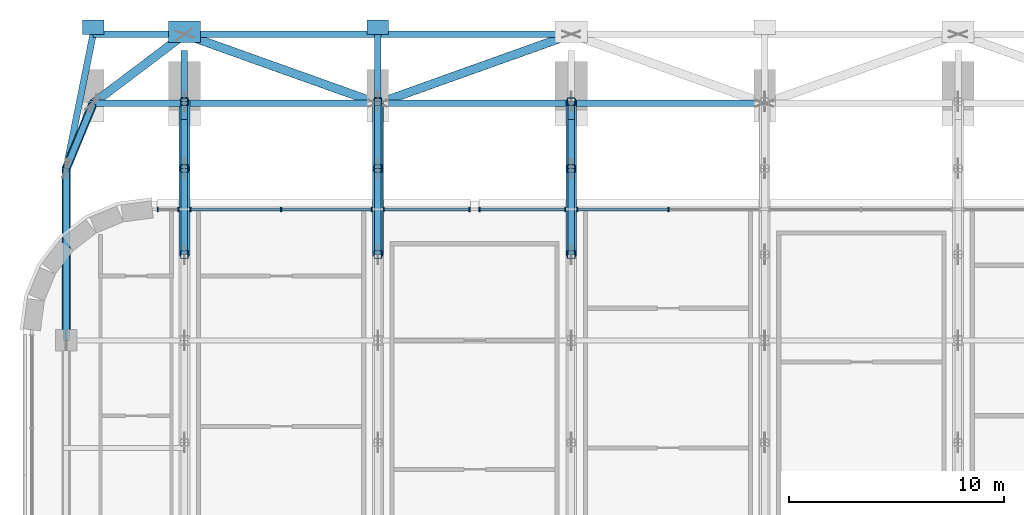
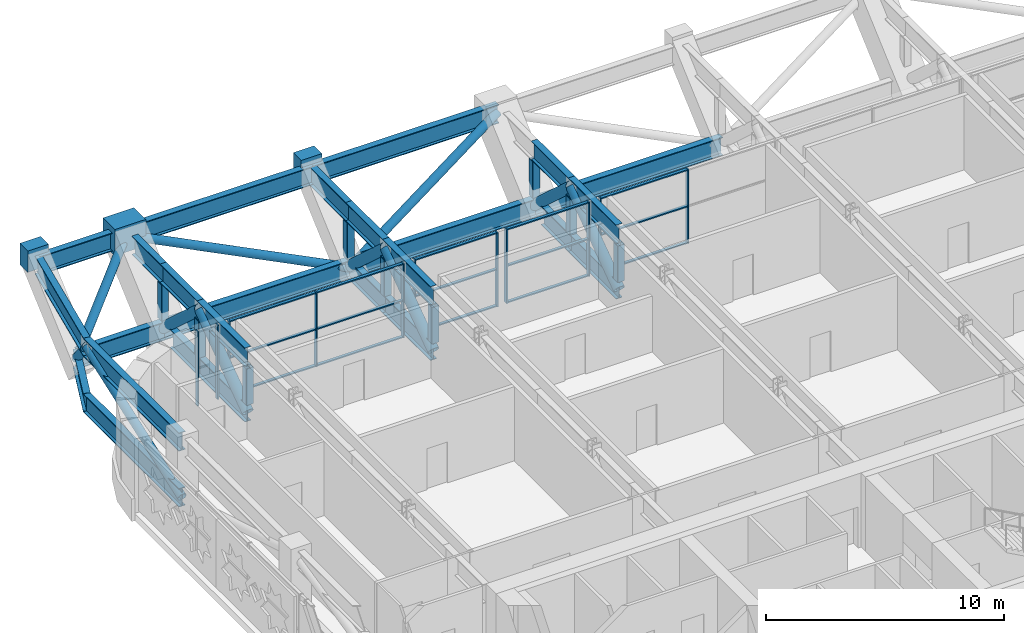
# One storey, part 6 of 23: 71 members, 3 beams, 5 elements without a shape of their own.
"""IFC4 building model written with IfcOpenShell, lengths in metres."""

from ifc_helpers import new_model, si_unit, direction, frame, origin, origin_2d, place, context, subcontext, project, spatial, rectangle, hollow_rectangle, hollow_circle, i_section, extrude, material, material_profile, profile_set, type_object, element, aggregate, save


model = new_model("IFC4")

# Units and contexts
model_context = context("Model", 3, precision=1e-05, world=origin(), true_north=direction((0.0, 1.0)))
body_context = subcontext(model_context, "Body", "Model", "MODEL_VIEW")
ifc_project = project(units=[si_unit("LENGTHUNIT", "METRE"), si_unit("AREAUNIT", "SQUARE_METRE"), si_unit("VOLUMEUNIT", "CUBIC_METRE"), si_unit("PLANEANGLEUNIT", "RADIAN"), si_unit("MASSUNIT", "GRAM", prefix="KILO")], contexts=[model_context])

# Site, building, storey
site_placement = place(None, origin())
site = spatial("IfcSite", under=ifc_project, at=site_placement, CompositionType="ELEMENT")
building_placement = place(site_placement, origin())
building = spatial("IfcBuilding", under=site, at=building_placement, Name="Zellij Exchange Tower", CompositionType="ELEMENT")
storey_placement = place(building_placement, frame((0.0, 0.0, 160.5)))
storey = spatial("IfcBuildingStorey", under=building, at=storey_placement, Name="L36", CompositionType="ELEMENT", Elevation=160.5)

# Curtain wall, members
ifc_material_1 = material(Name="Aluminium frame, clear insulating glass", Category="aluminium")
curtain_wall_type = type_object("IfcCurtainWallType", Name="ENV-CW2 Outrigger-storey glazing", PredefinedType="NOTDEFINED", material=ifc_material_1)
curtain_wall_1_placement = place(storey_placement, origin())
curtain_wall_1 = element("IfcCurtainWall", 1, at=curtain_wall_1_placement, inside=storey, type_object=curtain_wall_type, Name="cw.L36.14c.a", PredefinedType="NOTDEFINED")
ifc_material_2 = material(Name="Aluminium", Category="aluminium")
ifc_material_profile_1 = material_profile(ifc_material_2, rectangle(XDim=0.06005859375, YDim=0.199951171875, at=origin_2d()), Name="AL 60x200")
ifc_profile_set_1 = profile_set([ifc_material_profile_1], Name="Aluminium")
member_type_1 = type_object("IfcMemberType", Name="ENV-CW2M Mullion 60x200", PredefinedType="MULLION", material=ifc_profile_set_1)
member_1_placement = place(storey_placement, frame((-4.47509765625, 20.10009765625, 0.0), z_axis=(0.0, 0.0, 1.0), x_axis=(-1.0, 0.0, 0.0)))
member_1 = element("IfcMember", 2, at=member_1_placement, type_object=member_type_1, Name="CW2 mullion 2", PredefinedType="MULLION", context=body_context, shape_type="SweptSolid", body=[
    extrude(rectangle(XDim=0.06005859375, YDim=0.199951171875, at=origin_2d()), origin(), (0.0, 0.0, 1.0), 3.800048828125),
])
member_2_placement = place(storey_placement, frame((-8.72021484375, 20.10009765625, 0.0), z_axis=(0.0, 0.0, 1.0), x_axis=(-1.0, 0.0, 0.0)))
member_2 = element("IfcMember", 3, at=member_2_placement, type_object=member_type_1, Name="CW2 mullion 3", PredefinedType="MULLION", context=body_context, shape_type="SweptSolid", body=[
    extrude(rectangle(XDim=0.06005859375, YDim=0.199951171875, at=origin_2d()), origin(), (0.0, 0.0, 1.0), 3.800048828125),
])

curtain_wall_2_placement = place(storey_placement, origin())
curtain_wall_2 = element("IfcCurtainWall", 4, at=curtain_wall_2_placement, inside=storey, type_object=curtain_wall_type, Name="cw.L36.14c.b", PredefinedType="NOTDEFINED")
member_3_placement = place(storey_placement, frame((-9.27978515625, 20.10009765625, 0.0), z_axis=(0.0, 0.0, 1.0), x_axis=(-1.0, 0.0, 0.0)))
member_3 = element("IfcMember", 5, at=member_3_placement, type_object=member_type_1, Name="CW2 mullion 1", PredefinedType="MULLION", context=body_context, shape_type="SweptSolid", body=[
    extrude(rectangle(XDim=0.06005859375, YDim=0.199951171875, at=origin_2d()), origin(), (0.0, 0.0, 1.0), 3.800048828125),
])
member_4_placement = place(storey_placement, frame((-13.27001953125, 20.10009765625, 0.0), z_axis=(0.0, 0.0, 1.0), x_axis=(-1.0, 0.0, 0.0)))
member_4 = element("IfcMember", 6, at=member_4_placement, type_object=member_type_1, Name="CW2 mullion 2", PredefinedType="MULLION", context=body_context, shape_type="SweptSolid", body=[
    extrude(rectangle(XDim=0.06005859375, YDim=0.199951171875, at=origin_2d()), origin(), (0.0, 0.0, 1.0), 3.800048828125),
])

curtain_wall_3_placement = place(storey_placement, origin())
curtain_wall_3 = element("IfcCurtainWall", 7, at=curtain_wall_3_placement, inside=storey, type_object=curtain_wall_type, Name="cw.L36.14d.a", PredefinedType="NOTDEFINED")
member_5_placement = place(storey_placement, frame((-13.72998046875, 20.10009765625, 0.0), z_axis=(0.0, 0.0, 1.0), x_axis=(-1.0, 0.0, 0.0)))
member_5 = element("IfcMember", 8, at=member_5_placement, type_object=member_type_1, Name="CW2 mullion 1", PredefinedType="MULLION", context=body_context, shape_type="SweptSolid", body=[
    extrude(rectangle(XDim=0.06005859375, YDim=0.199951171875, at=origin_2d()), origin(), (0.0, 0.0, 1.0), 3.800048828125),
])
member_6_placement = place(storey_placement, frame((-17.72021484375, 20.10009765625, 0.0), z_axis=(0.0, 0.0, 1.0), x_axis=(-1.0, 0.0, 0.0)))
member_6 = element("IfcMember", 9, at=member_6_placement, type_object=member_type_1, Name="CW2 mullion 2", PredefinedType="MULLION", context=body_context, shape_type="SweptSolid", body=[
    extrude(rectangle(XDim=0.06005859375, YDim=0.199951171875, at=origin_2d()), origin(), (0.0, 0.0, 1.0), 3.800048828125),
])

curtain_wall_4_placement = place(storey_placement, origin())
curtain_wall_4 = element("IfcCurtainWall", 10, at=curtain_wall_4_placement, inside=storey, type_object=curtain_wall_type, Name="cw.L36.14d.b", PredefinedType="NOTDEFINED")
member_7_placement = place(storey_placement, frame((-18.27978515625, 20.10009765625, 0.0), z_axis=(0.0, 0.0, 1.0), x_axis=(-1.0, 0.0, 0.0)))
member_7 = element("IfcMember", 11, at=member_7_placement, type_object=member_type_1, Name="CW2 mullion 1", PredefinedType="MULLION", context=body_context, shape_type="SweptSolid", body=[
    extrude(rectangle(XDim=0.06005859375, YDim=0.199951171875, at=origin_2d()), origin(), (0.0, 0.0, 1.0), 3.800048828125),
])
member_8_placement = place(storey_placement, frame((-22.5, 20.10009765625, 0.0), z_axis=(0.0, 0.0, 1.0), x_axis=(-1.0, 0.0, 0.0)))
member_8 = element("IfcMember", 12, at=member_8_placement, type_object=member_type_1, Name="CW2 mullion 2", PredefinedType="MULLION", context=body_context, shape_type="SweptSolid", body=[
    extrude(rectangle(XDim=0.06005859375, YDim=0.199951171875, at=origin_2d()), origin(), (0.0, 0.0, 1.0), 3.800048828125),
])
member_9_placement = place(storey_placement, frame((-26.72021484375, 20.10009765625, 0.0), z_axis=(0.0, 0.0, 1.0), x_axis=(-1.0, 0.0, 0.0)))
member_9 = element("IfcMember", 13, at=member_9_placement, type_object=member_type_1, Name="CW2 mullion 3", PredefinedType="MULLION", context=body_context, shape_type="SweptSolid", body=[
    extrude(rectangle(XDim=0.06005859375, YDim=0.199951171875, at=origin_2d()), origin(), (0.0, 0.0, 1.0), 3.800048828125),
])

curtain_wall_5_placement = place(storey_placement, origin())
curtain_wall_5 = element("IfcCurtainWall", 14, at=curtain_wall_5_placement, inside=storey, type_object=curtain_wall_type, Name="cw.L36.14d.c", PredefinedType="NOTDEFINED")
member_10_placement = place(storey_placement, frame((-27.27978515625, 20.10009765625, 0.0), z_axis=(0.0, 0.0, 1.0), x_axis=(-1.0, 0.0, 0.0)))
member_10 = element("IfcMember", 15, at=member_10_placement, type_object=member_type_1, Name="CW2 mullion 1", PredefinedType="MULLION", context=body_context, shape_type="SweptSolid", body=[
    extrude(rectangle(XDim=0.06005859375, YDim=0.199951171875, at=origin_2d()), origin(), (0.0, 0.0, 1.0), 3.800048828125),
])
member_11_placement = place(storey_placement, frame((-28.243896484375, 20.10009765625, 0.0), z_axis=(0.0, 0.0, 1.0), x_axis=(-1.0, 0.0, 0.0)))
member_11 = element("IfcMember", 16, at=member_11_placement, type_object=member_type_1, Name="CW2 mullion 2", PredefinedType="MULLION", context=body_context, shape_type="SweptSolid", body=[
    extrude(rectangle(XDim=0.06005859375, YDim=0.199951171875, at=origin_2d()), origin(), (0.0, 0.0, 1.0), 3.800048828125),
])
aggregate(curtain_wall_5, [member_10, member_11])

# Member
ifc_material_profile_2 = material_profile(ifc_material_2, rectangle(XDim=0.139892578125, YDim=0.06005859375, at=origin_2d()), Name="AL 140x60")
ifc_profile_set_2 = profile_set([ifc_material_profile_2], Name="Aluminium")
member_type_2 = type_object("IfcMemberType", Name="ENV-CW2T Transom 140x60", PredefinedType="USERDEFINED", material=ifc_profile_set_2)
member_12_placement = place(storey_placement, frame((-4.505126953125, 20.10009765625, 0.030029296875), z_axis=(-1.0, 0.0, 0.0), x_axis=(0.0, -1.0, 0.0)))
member_12 = element("IfcMember", 17, at=member_12_placement, type_object=member_type_2, Name="CW2 transom 2.1", ObjectType="TRANSOM", PredefinedType="USERDEFINED", context=body_context, shape_type="SweptSolid", body=[
    extrude(rectangle(XDim=0.139892578125, YDim=0.06005859375, at=origin_2d()), origin(), (0.0, 0.0, 1.0), 4.18505859375),
])

member_13_placement = place(storey_placement, frame((-4.505126953125, 20.10009765625, 1.89990234375), z_axis=(-1.0, 0.0, 0.0), x_axis=(0.0, -1.0, 0.0)))
member_13 = element("IfcMember", 18, at=member_13_placement, type_object=member_type_2, Name="CW2 transom 2.2", ObjectType="TRANSOM", PredefinedType="USERDEFINED", context=body_context, shape_type="SweptSolid", body=[
    extrude(rectangle(XDim=0.139892578125, YDim=0.06005859375, at=origin_2d()), origin(), (0.0, 0.0, 1.0), 4.18505859375),
])

member_14_placement = place(storey_placement, frame((-4.505126953125, 20.10009765625, 3.77001953125), z_axis=(-1.0, 0.0, 0.0), x_axis=(0.0, -1.0, 0.0)))
member_14 = element("IfcMember", 19, at=member_14_placement, type_object=member_type_2, Name="CW2 transom 2.3", ObjectType="TRANSOM", PredefinedType="USERDEFINED", context=body_context, shape_type="SweptSolid", body=[
    extrude(rectangle(XDim=0.139892578125, YDim=0.06005859375, at=origin_2d()), origin(), (0.0, 0.0, 1.0), 4.18505859375),
])

aggregate(curtain_wall_1, [member_1, member_2, member_12, member_13, member_14])

member_15_placement = place(storey_placement, frame((-9.309814453125, 20.10009765625, 0.030029296875), z_axis=(-1.0, 0.0, 0.0), x_axis=(0.0, -1.0, 0.0)))
member_15 = element("IfcMember", 20, at=member_15_placement, type_object=member_type_2, Name="CW2 transom 1.1", ObjectType="TRANSOM", PredefinedType="USERDEFINED", context=body_context, shape_type="SweptSolid", body=[
    extrude(rectangle(XDim=0.139892578125, YDim=0.06005859375, at=origin_2d()), origin(), (0.0, 0.0, 1.0), 3.93017578125),
])

member_16_placement = place(storey_placement, frame((-9.309814453125, 20.10009765625, 1.89990234375), z_axis=(-1.0, 0.0, 0.0), x_axis=(0.0, -1.0, 0.0)))
member_16 = element("IfcMember", 21, at=member_16_placement, type_object=member_type_2, Name="CW2 transom 1.2", ObjectType="TRANSOM", PredefinedType="USERDEFINED", context=body_context, shape_type="SweptSolid", body=[
    extrude(rectangle(XDim=0.139892578125, YDim=0.06005859375, at=origin_2d()), origin(), (0.0, 0.0, 1.0), 3.93017578125),
])

member_17_placement = place(storey_placement, frame((-9.309814453125, 20.10009765625, 3.77001953125), z_axis=(-1.0, 0.0, 0.0), x_axis=(0.0, -1.0, 0.0)))
member_17 = element("IfcMember", 22, at=member_17_placement, type_object=member_type_2, Name="CW2 transom 1.3", ObjectType="TRANSOM", PredefinedType="USERDEFINED", context=body_context, shape_type="SweptSolid", body=[
    extrude(rectangle(XDim=0.139892578125, YDim=0.06005859375, at=origin_2d()), origin(), (0.0, 0.0, 1.0), 3.93017578125),
])

aggregate(curtain_wall_2, [member_3, member_4, member_15, member_16, member_17])

member_18_placement = place(storey_placement, frame((-13.760009765625, 20.10009765625, 0.030029296875), z_axis=(-1.0, 0.0, 0.0), x_axis=(0.0, -1.0, 0.0)))
member_18 = element("IfcMember", 23, at=member_18_placement, type_object=member_type_2, Name="CW2 transom 1.1", ObjectType="TRANSOM", PredefinedType="USERDEFINED", context=body_context, shape_type="SweptSolid", body=[
    extrude(rectangle(XDim=0.139892578125, YDim=0.06005859375, at=origin_2d()), origin(), (0.0, 0.0, 1.0), 3.93017578125),
])

member_19_placement = place(storey_placement, frame((-13.760009765625, 20.10009765625, 1.89990234375), z_axis=(-1.0, 0.0, 0.0), x_axis=(0.0, -1.0, 0.0)))
member_19 = element("IfcMember", 24, at=member_19_placement, type_object=member_type_2, Name="CW2 transom 1.2", ObjectType="TRANSOM", PredefinedType="USERDEFINED", context=body_context, shape_type="SweptSolid", body=[
    extrude(rectangle(XDim=0.139892578125, YDim=0.06005859375, at=origin_2d()), origin(), (0.0, 0.0, 1.0), 3.93017578125),
])

member_20_placement = place(storey_placement, frame((-13.760009765625, 20.10009765625, 3.77001953125), z_axis=(-1.0, 0.0, 0.0), x_axis=(0.0, -1.0, 0.0)))
member_20 = element("IfcMember", 25, at=member_20_placement, type_object=member_type_2, Name="CW2 transom 1.3", ObjectType="TRANSOM", PredefinedType="USERDEFINED", context=body_context, shape_type="SweptSolid", body=[
    extrude(rectangle(XDim=0.139892578125, YDim=0.06005859375, at=origin_2d()), origin(), (0.0, 0.0, 1.0), 3.93017578125),
])

aggregate(curtain_wall_3, [member_5, member_6, member_18, member_19, member_20])

member_21_placement = place(storey_placement, frame((-18.309814453125, 20.10009765625, 0.030029296875), z_axis=(-1.0, 0.0, 0.0), x_axis=(0.0, -1.0, 0.0)))
member_21 = element("IfcMember", 26, at=member_21_placement, type_object=member_type_2, Name="CW2 transom 1.1", ObjectType="TRANSOM", PredefinedType="USERDEFINED", context=body_context, shape_type="SweptSolid", body=[
    extrude(rectangle(XDim=0.139892578125, YDim=0.06005859375, at=origin_2d()), origin(), (0.0, 0.0, 1.0), 4.16015625),
])

member_22_placement = place(storey_placement, frame((-18.309814453125, 20.10009765625, 1.89990234375), z_axis=(-1.0, 0.0, 0.0), x_axis=(0.0, -1.0, 0.0)))
member_22 = element("IfcMember", 27, at=member_22_placement, type_object=member_type_2, Name="CW2 transom 1.2", ObjectType="TRANSOM", PredefinedType="USERDEFINED", context=body_context, shape_type="SweptSolid", body=[
    extrude(rectangle(XDim=0.139892578125, YDim=0.06005859375, at=origin_2d()), origin(), (0.0, 0.0, 1.0), 4.16015625),
])

member_23_placement = place(storey_placement, frame((-18.309814453125, 20.10009765625, 3.77001953125), z_axis=(-1.0, 0.0, 0.0), x_axis=(0.0, -1.0, 0.0)))
member_23 = element("IfcMember", 28, at=member_23_placement, type_object=member_type_2, Name="CW2 transom 1.3", ObjectType="TRANSOM", PredefinedType="USERDEFINED", context=body_context, shape_type="SweptSolid", body=[
    extrude(rectangle(XDim=0.139892578125, YDim=0.06005859375, at=origin_2d()), origin(), (0.0, 0.0, 1.0), 4.16015625),
])

member_24_placement = place(storey_placement, frame((-22.530029296875, 20.10009765625, 0.030029296875), z_axis=(-1.0, 0.0, 0.0), x_axis=(0.0, -1.0, 0.0)))
member_24 = element("IfcMember", 29, at=member_24_placement, type_object=member_type_2, Name="CW2 transom 2.1", ObjectType="TRANSOM", PredefinedType="USERDEFINED", context=body_context, shape_type="SweptSolid", body=[
    extrude(rectangle(XDim=0.139892578125, YDim=0.06005859375, at=origin_2d()), origin(), (0.0, 0.0, 1.0), 4.16015625),
])

member_25_placement = place(storey_placement, frame((-22.530029296875, 20.10009765625, 1.89990234375), z_axis=(-1.0, 0.0, 0.0), x_axis=(0.0, -1.0, 0.0)))
member_25 = element("IfcMember", 30, at=member_25_placement, type_object=member_type_2, Name="CW2 transom 2.2", ObjectType="TRANSOM", PredefinedType="USERDEFINED", context=body_context, shape_type="SweptSolid", body=[
    extrude(rectangle(XDim=0.139892578125, YDim=0.06005859375, at=origin_2d()), origin(), (0.0, 0.0, 1.0), 4.16015625),
])

member_26_placement = place(storey_placement, frame((-22.530029296875, 20.10009765625, 3.77001953125), z_axis=(-1.0, 0.0, 0.0), x_axis=(0.0, -1.0, 0.0)))
member_26 = element("IfcMember", 31, at=member_26_placement, type_object=member_type_2, Name="CW2 transom 2.3", ObjectType="TRANSOM", PredefinedType="USERDEFINED", context=body_context, shape_type="SweptSolid", body=[
    extrude(rectangle(XDim=0.139892578125, YDim=0.06005859375, at=origin_2d()), origin(), (0.0, 0.0, 1.0), 4.16015625),
])

aggregate(curtain_wall_4, [member_7, member_8, member_9, member_21, member_22, member_23, member_24, member_25, member_26])

# Members
ifc_material_3 = material(Name="Structural steel ASTM A992 Gr 50", Category="steel")
ifc_material_profile_3 = material_profile(ifc_material_3, i_section(OverallWidth=0.307373046875, OverallDepth=0.9423828125, WebThickness=0.022216796875, FlangeThickness=0.039794921875, at=origin_2d()), Name="W36x232")
ifc_profile_set_3 = profile_set([ifc_material_profile_3], Name="Structural steel ASTM A992 Gr 50")
member_type_3 = type_object("IfcMemberType", Name="STR-BELT TRUSS CHORD W36x232", PredefinedType="CHORD", material=ifc_profile_set_3)
for number, where, z_axis, x_axis, name in (
    (32, (-32.5, 14.0, 0.47119140625), (0.0, 1.0, 0.0), (-1.0, 0.0, 0.0), "BT1"),
    (33, (-32.5, 14.0, 3.328857421875), (0.0, 1.0, 0.0), (-1.0, 0.0, 0.0), "BT1"),
):
    element("IfcMember", number, at=place(storey_placement, frame(where, z_axis=z_axis, x_axis=x_axis)), inside=storey, type_object=member_type_3, Name=name, PredefinedType="CHORD", context=body_context, shape_type="SweptSolid", body=[
        extrude(i_section(OverallWidth=0.307373046875, OverallDepth=0.9423828125, WebThickness=0.022216796875, FlangeThickness=0.039794921875, at=origin_2d()), origin(), (0.0, 0.0, 1.0), 8.0),
    ])
member_27_placement = place(storey_placement, frame((-32.5, 22.0, 0.47119140625), z_axis=(0.381360362466, 0.92442645675, 0.0), x_axis=(-0.92442645675, 0.381360362466, 0.0)))
element("IfcMember", 34, at=member_27_placement, inside=storey, type_object=member_type_3, Name="BT1", PredefinedType="CHORD", context=body_context, shape_type="SweptSolid", body=[
    extrude(i_section(OverallWidth=0.307373046875, OverallDepth=0.9423828125, WebThickness=0.022216796875, FlangeThickness=0.039794921875, at=origin_2d()), origin(), (0.0, 0.0, 1.0), 3.27783203125),
])
member_28_placement = place(storey_placement, frame((-32.5, 22.0, 3.328857421875), z_axis=(0.19627094376, 0.980549701257, 0.0), x_axis=(-0.980549701257, 0.19627094376, 0.0)))
element("IfcMember", 35, at=member_28_placement, inside=storey, type_object=member_type_3, Name="BT1", PredefinedType="CHORD", context=body_context, shape_type="SweptSolid", body=[
    extrude(i_section(OverallWidth=0.307373046875, OverallDepth=0.9423828125, WebThickness=0.022216796875, FlangeThickness=0.039794921875, at=origin_2d()), origin(), (0.0, 0.0, 1.0), 6.36865234375),
])
for number, where, z_axis, x_axis, name in (
    (36, (-31.25, 25.030029296875, 0.47119140625), (1.0, 0.0, 0.0), (0.0, 1.0, 0.0), "BT1"),
    (37, (-31.25, 28.244873046875, 3.328857421875), (1.0, 0.0, 0.0), (0.0, 1.0, 0.0), "BT1"),
):
    element("IfcMember", number, at=place(storey_placement, frame(where, z_axis=z_axis, x_axis=x_axis)), inside=storey, type_object=member_type_3, Name=name, PredefinedType="CHORD", context=body_context, shape_type="SweptSolid", body=[
        extrude(i_section(OverallWidth=0.307373046875, OverallDepth=0.9423828125, WebThickness=0.022216796875, FlangeThickness=0.039794921875, at=origin_2d()), origin(), (0.0, 0.0, 1.0), 4.25),
    ])
for number, where, z_axis, x_axis, name in (
    (38, (-27.0, 25.030029296875, 0.47119140625), (1.0, 0.0, 0.0), (0.0, 1.0, 0.0), "BT1"),
    (39, (-27.0, 28.244873046875, 3.328857421875), (1.0, 0.0, 0.0), (0.0, 1.0, 0.0), "BT1"),
    (40, (-18.0, 25.030029296875, 0.47119140625), (1.0, 0.0, 0.0), (0.0, 1.0, 0.0), "BT1"),
    (41, (-18.0, 28.244873046875, 3.328857421875), (1.0, 0.0, 0.0), (0.0, 1.0, 0.0), "BT1"),
    (42, (-9.0, 25.030029296875, 0.47119140625), (1.0, 0.0, 0.0), (0.0, 1.0, 0.0), "BT1"),
):
    element("IfcMember", number, at=place(storey_placement, frame(where, z_axis=z_axis, x_axis=x_axis)), inside=storey, type_object=member_type_3, Name=name, PredefinedType="CHORD", context=body_context, shape_type="SweptSolid", body=[
        extrude(i_section(OverallWidth=0.307373046875, OverallDepth=0.9423828125, WebThickness=0.022216796875, FlangeThickness=0.039794921875, at=origin_2d()), origin(), (0.0, 0.0, 1.0), 9.0),
    ])
ifc_material_4 = material(Name="Structural steel ASTM A500 Gr C", Category="steel")
ifc_material_profile_4 = material_profile(ifc_material_4, hollow_circle(Radius=0.203125, WallThickness=0.01171875, at=origin_2d()), Name="STR-BELT TRUSS DIAGONAL HSS16.000x0.500")
ifc_profile_set_4 = profile_set([ifc_material_profile_4], Name="Structural steel ASTM A500 Gr C")
member_type_4 = type_object("IfcMemberType", Name="STR-BELT TRUSS DIAGONAL HSS16.000x0.500", PredefinedType="BRACE", material=ifc_profile_set_4)
member_29_placement = place(storey_placement, frame((-32.5, 14.0, 0.47119140625), z_axis=(0.0, 0.941722403843, 0.336391013702), x_axis=(-1.0, 0.0, 0.0)))
element("IfcMember", 43, at=member_29_placement, inside=storey, type_object=member_type_4, Name="BT2", PredefinedType="BRACE", context=body_context, shape_type="SweptSolid", body=[
    extrude(hollow_circle(Radius=0.203125, WallThickness=0.01171875, at=origin_2d()), origin(), (0.0, 0.0, 1.0), 8.4951171875),
])
member_30_placement = place(storey_placement, frame((-32.5, 22.0, 3.328857421875), z_axis=(0.287452553495, 0.69679172684, -0.657154714581), x_axis=(-0.92442645675, 0.381360362466, 0.0)))
element("IfcMember", 44, at=member_30_placement, inside=storey, type_object=member_type_4, Name="BT2", PredefinedType="BRACE", context=body_context, shape_type="SweptSolid", body=[
    extrude(hollow_circle(Radius=0.203125, WallThickness=0.01171875, at=origin_2d()), origin(), (0.0, 0.0, 1.0), 4.3486328125),
])
member_31_placement = place(storey_placement, frame((-31.25, 25.030029296875, 0.47119140625), z_axis=(0.702849315232, 0.531658994886, 0.472590259352), x_axis=(-0.603278893119, 0.797530298558, 0.0)))
element("IfcMember", 45, at=member_31_placement, inside=storey, type_object=member_type_4, Name="BT2", PredefinedType="BRACE", context=body_context, shape_type="SweptSolid", body=[
    extrude(hollow_circle(Radius=0.203125, WallThickness=0.01171875, at=origin_2d()), origin(), (0.0, 0.0, 1.0), 6.046875),
])
for number, where, z_axis, x_axis, name in (
    (46, (-27.0, 28.244873046875, 3.328857421875), (0.902251783506, -0.322288723014, -0.286481584362), (0.336388181808, 0.941723415414, 0.0), "BT2"),
    (47, (-18.0, 25.030029296875, 0.47119140625), (0.902251783506, 0.322288723014, 0.286481584362), (-0.336388181808, 0.941723415414, 0.0), "BT2"),
):
    element("IfcMember", number, at=place(storey_placement, frame(where, z_axis=z_axis, x_axis=x_axis)), inside=storey, type_object=member_type_4, Name=name, PredefinedType="BRACE", context=body_context, shape_type="SweptSolid", body=[
        extrude(hollow_circle(Radius=0.203125, WallThickness=0.01171875, at=origin_2d()), origin(), (0.0, 0.0, 1.0), 9.97509765625),
    ])

# Beams
ifc_material_5 = material(Name="Concrete C60/75", Category="concrete")
ifc_material_profile_5 = material_profile(ifc_material_5, rectangle(XDim=1.0, YDim=1.10009765625, at=origin_2d()), Name="STR-KNUCKLE BLOCK RC1000x1100 C60/75")
ifc_profile_set_5 = profile_set([ifc_material_profile_5], Name="Concrete C60/75")
beam_type_1 = type_object("IfcBeamType", Name="STR-KNUCKLE BLOCK RC1000x1100 C60/75", PredefinedType="BEAM", material=ifc_profile_set_5)
for number, where, z_axis, x_axis, name in (
    (48, (-31.25, 28.247314453125, 3.625), (0.0, 1.0, 0.0), (-1.0, 0.0, 0.0), "KB3"),
    (49, (-18.0, 28.247314453125, 3.625), (0.0, 1.0, 0.0), (-1.0, 0.0, 0.0), "KB3"),
):
    element("IfcBeam", number, at=place(storey_placement, frame(where, z_axis=z_axis, x_axis=x_axis)), inside=storey, type_object=beam_type_1, Name=name, PredefinedType="BEAM", context=body_context, shape_type="SweptSolid", body=[
        extrude(rectangle(XDim=1.0, YDim=1.10009765625, at=origin_2d()), origin(), (0.0, 0.0, 1.0), 0.66455078125),
    ])
ifc_material_profile_6 = material_profile(ifc_material_5, rectangle(XDim=1.5, YDim=1.35009765625, at=origin_2d()), Name="STR-KNUCKLE BLOCK RC1500x1350 C60/75")
ifc_profile_set_6 = profile_set([ifc_material_profile_6], Name="Concrete C60/75")
beam_type_2 = type_object("IfcBeamType", Name="STR-KNUCKLE BLOCK RC1500x1350 C60/75", PredefinedType="BEAM", material=ifc_profile_set_6)
beam_placement = place(storey_placement, frame((-27.0, 27.87109375, 3.425048828125), z_axis=(0.0, 1.0, 0.0), x_axis=(-1.0, 0.0, 0.0)))
element("IfcBeam", 50, at=beam_placement, inside=storey, type_object=beam_type_2, Name="KB8", PredefinedType="BEAM", context=body_context, shape_type="SweptSolid", body=[
    extrude(rectangle(XDim=1.5, YDim=1.35009765625, at=origin_2d()), origin(), (0.0, 0.0, 1.0), 0.99658203125),
])

# Members
ifc_material_6 = material(Name="Structural steel ASTM A913 Gr 65", Category="steel")
ifc_material_profile_7 = material_profile(ifc_material_6, i_section(OverallWidth=0.2998046875, OverallDepth=0.965087890625, WebThickness=0.01904296875, FlangeThickness=0.0361328125, at=origin_2d()), Name="W40x249")
ifc_profile_set_7 = profile_set([ifc_material_profile_7], Name="Structural steel ASTM A913 Gr 65")
member_type_5 = type_object("IfcMemberType", Name="STR-OUTRIGGER TRUSS CHORD W40x249", PredefinedType="CHORD", material=ifc_profile_set_7)
for number, where, z_axis, x_axis, name in (
    (51, (-27.0, 18.0, 3.3173828125), (0.0, 1.0, 0.0), (-1.0, 0.0, 0.0), "OT1"),
    (52, (-27.0, 18.0, 0.482666015625), (0.0, 1.0, 0.0), (-1.0, 0.0, 0.0), "OT1"),
):
    element("IfcMember", number, at=place(storey_placement, frame(where, z_axis=z_axis, x_axis=x_axis)), inside=storey, type_object=member_type_5, Name=name, PredefinedType="CHORD", context=body_context, shape_type="SweptSolid", body=[
        extrude(i_section(OverallWidth=0.2998046875, OverallDepth=0.965087890625, WebThickness=0.01904296875, FlangeThickness=0.0361328125, at=origin_2d()), origin(), (0.0, 0.0, 1.0), 4.0),
    ])
member_32_placement = place(storey_placement, frame((-27.0, 22.0, 3.3173828125), z_axis=(0.0, 1.0, 0.0), x_axis=(-1.0, 0.0, 0.0)))
element("IfcMember", 53, at=member_32_placement, inside=storey, type_object=member_type_5, Name="OT1", PredefinedType="CHORD", context=body_context, shape_type="SweptSolid", body=[
    extrude(i_section(OverallWidth=0.2998046875, OverallDepth=0.965087890625, WebThickness=0.01904296875, FlangeThickness=0.0361328125, at=origin_2d()), origin(), (0.0, 0.0, 1.0), 3.115966796875),
])
member_33_placement = place(storey_placement, frame((-27.0, 22.0, 0.482666015625), z_axis=(0.0, 1.0, 0.0), x_axis=(-1.0, 0.0, 0.0)))
element("IfcMember", 54, at=member_33_placement, inside=storey, type_object=member_type_5, Name="OT1", PredefinedType="CHORD", context=body_context, shape_type="SweptSolid", body=[
    extrude(i_section(OverallWidth=0.2998046875, OverallDepth=0.965087890625, WebThickness=0.01904296875, FlangeThickness=0.0361328125, at=origin_2d()), origin(), (0.0, 0.0, 1.0), 2.29296875),
])
member_34_placement = place(storey_placement, frame((-27.0, 25.115966796875, 3.3173828125), z_axis=(0.0, 1.0, 0.0), x_axis=(-1.0, 0.0, 0.0)))
element("IfcMember", 55, at=member_34_placement, inside=storey, type_object=member_type_5, Name="OT1", PredefinedType="CHORD", context=body_context, shape_type="SweptSolid", body=[
    extrude(i_section(OverallWidth=0.2998046875, OverallDepth=0.965087890625, WebThickness=0.01904296875, FlangeThickness=0.0361328125, at=origin_2d()), origin(), (0.0, 0.0, 1.0), 2.3662109375),
])
for number, where, z_axis, x_axis, name in (
    (56, (-18.0, 18.0, 3.3173828125), (0.0, 1.0, 0.0), (-1.0, 0.0, 0.0), "OT1"),
    (57, (-18.0, 18.0, 0.482666015625), (0.0, 1.0, 0.0), (-1.0, 0.0, 0.0), "OT1"),
):
    element("IfcMember", number, at=place(storey_placement, frame(where, z_axis=z_axis, x_axis=x_axis)), inside=storey, type_object=member_type_5, Name=name, PredefinedType="CHORD", context=body_context, shape_type="SweptSolid", body=[
        extrude(i_section(OverallWidth=0.2998046875, OverallDepth=0.965087890625, WebThickness=0.01904296875, FlangeThickness=0.0361328125, at=origin_2d()), origin(), (0.0, 0.0, 1.0), 4.0),
    ])
for number, where, z_axis, x_axis, name in (
    (58, (-18.0, 22.0, 3.3173828125), (0.0, 1.0, 0.0), (-1.0, 0.0, 0.0), "OT1"),
    (59, (-18.0, 22.0, 0.482666015625), (0.0, 1.0, 0.0), (-1.0, 0.0, 0.0), "OT1"),
):
    element("IfcMember", number, at=place(storey_placement, frame(where, z_axis=z_axis, x_axis=x_axis)), inside=storey, type_object=member_type_5, Name=name, PredefinedType="CHORD", context=body_context, shape_type="SweptSolid", body=[
        extrude(i_section(OverallWidth=0.2998046875, OverallDepth=0.965087890625, WebThickness=0.01904296875, FlangeThickness=0.0361328125, at=origin_2d()), origin(), (0.0, 0.0, 1.0), 3.115966796875),
    ])
member_35_placement = place(storey_placement, frame((-18.0, 25.115966796875, 3.3173828125), z_axis=(0.0, 1.0, 0.0), x_axis=(-1.0, 0.0, 0.0)))
element("IfcMember", 60, at=member_35_placement, inside=storey, type_object=member_type_5, Name="OT1", PredefinedType="CHORD", context=body_context, shape_type="SweptSolid", body=[
    extrude(i_section(OverallWidth=0.2998046875, OverallDepth=0.965087890625, WebThickness=0.01904296875, FlangeThickness=0.0361328125, at=origin_2d()), origin(), (0.0, 0.0, 1.0), 3.1162109375),
])
for number, where, z_axis, x_axis, name in (
    (61, (-9.0, 18.0, 3.3173828125), (0.0, 1.0, 0.0), (-1.0, 0.0, 0.0), "OT1"),
    (62, (-9.0, 18.0, 0.482666015625), (0.0, 1.0, 0.0), (-1.0, 0.0, 0.0), "OT1"),
):
    element("IfcMember", number, at=place(storey_placement, frame(where, z_axis=z_axis, x_axis=x_axis)), inside=storey, type_object=member_type_5, Name=name, PredefinedType="CHORD", context=body_context, shape_type="SweptSolid", body=[
        extrude(i_section(OverallWidth=0.2998046875, OverallDepth=0.965087890625, WebThickness=0.01904296875, FlangeThickness=0.0361328125, at=origin_2d()), origin(), (0.0, 0.0, 1.0), 4.0),
    ])
member_36_placement = place(storey_placement, frame((-9.0, 22.0, 3.3173828125), z_axis=(0.0, 1.0, 0.0), x_axis=(-1.0, 0.0, 0.0)))
element("IfcMember", 63, at=member_36_placement, inside=storey, type_object=member_type_5, Name="OT1", PredefinedType="CHORD", context=body_context, shape_type="SweptSolid", body=[
    extrude(i_section(OverallWidth=0.2998046875, OverallDepth=0.965087890625, WebThickness=0.01904296875, FlangeThickness=0.0361328125, at=origin_2d()), origin(), (0.0, 0.0, 1.0), 3.115966796875),
])
member_37_placement = place(storey_placement, frame((-9.0, 22.0, 0.482666015625), z_axis=(0.0, 1.0, 0.0), x_axis=(-1.0, 0.0, 0.0)))
element("IfcMember", 64, at=member_37_placement, inside=storey, type_object=member_type_5, Name="OT1", PredefinedType="CHORD", context=body_context, shape_type="SweptSolid", body=[
    extrude(i_section(OverallWidth=0.2998046875, OverallDepth=0.965087890625, WebThickness=0.01904296875, FlangeThickness=0.0361328125, at=origin_2d()), origin(), (0.0, 0.0, 1.0), 2.29296875),
])
ifc_material_profile_8 = material_profile(ifc_material_4, hollow_circle(Radius=0.25390625, WallThickness=0.01171875, at=origin_2d()), Name="STR-OUTRIGGER TRUSS DIAGONAL HSS20.000x0.500")
ifc_profile_set_8 = profile_set([ifc_material_profile_8], Name="Structural steel ASTM A500 Gr C")
member_type_6 = type_object("IfcMemberType", Name="STR-OUTRIGGER TRUSS DIAGONAL HSS20.000x0.500", PredefinedType="BRACE", material=ifc_profile_set_8)
member_38_placement = place(storey_placement, frame((-27.0, 18.0, 0.482666015625), z_axis=(0.0, 0.815891357609, 0.57820523396), x_axis=(-1.0, 0.0, 0.0)))
element("IfcMember", 65, at=member_38_placement, inside=storey, type_object=member_type_6, Name="OT2", PredefinedType="BRACE", context=body_context, shape_type="SweptSolid", body=[
    extrude(hollow_circle(Radius=0.25390625, WallThickness=0.01171875, at=origin_2d()), origin(), (0.0, 0.0, 1.0), 4.902587890625),
])
member_39_placement = place(storey_placement, frame((-27.0, 22.0, 3.3173828125), z_axis=(0.0, 0.739701381589, -0.67293526143), x_axis=(-1.0, 0.0, 0.0)))
element("IfcMember", 66, at=member_39_placement, inside=storey, type_object=member_type_6, Name="OT2", PredefinedType="BRACE", context=body_context, shape_type="SweptSolid", body=[
    extrude(hollow_circle(Radius=0.25390625, WallThickness=0.01171875, at=origin_2d()), origin(), (0.0, 0.0, 1.0), 4.21240234375),
])
member_40_placement = place(storey_placement, frame((-18.0, 18.0, 0.482666015625), z_axis=(0.0, 0.815891357609, 0.57820523396), x_axis=(-1.0, 0.0, 0.0)))
element("IfcMember", 67, at=member_40_placement, inside=storey, type_object=member_type_6, Name="OT2", PredefinedType="BRACE", context=body_context, shape_type="SweptSolid", body=[
    extrude(hollow_circle(Radius=0.25390625, WallThickness=0.01171875, at=origin_2d()), origin(), (0.0, 0.0, 1.0), 4.902587890625),
])
member_41_placement = place(storey_placement, frame((-18.0, 22.0, 3.3173828125), z_axis=(0.0, 0.739701381589, -0.67293526143), x_axis=(-1.0, 0.0, 0.0)))
element("IfcMember", 68, at=member_41_placement, inside=storey, type_object=member_type_6, Name="OT2", PredefinedType="BRACE", context=body_context, shape_type="SweptSolid", body=[
    extrude(hollow_circle(Radius=0.25390625, WallThickness=0.01171875, at=origin_2d()), origin(), (0.0, 0.0, 1.0), 4.21240234375),
])
member_42_placement = place(storey_placement, frame((-9.0, 18.0, 0.482666015625), z_axis=(0.0, 0.815891357609, 0.57820523396), x_axis=(-1.0, 0.0, 0.0)))
element("IfcMember", 69, at=member_42_placement, inside=storey, type_object=member_type_6, Name="OT2", PredefinedType="BRACE", context=body_context, shape_type="SweptSolid", body=[
    extrude(hollow_circle(Radius=0.25390625, WallThickness=0.01171875, at=origin_2d()), origin(), (0.0, 0.0, 1.0), 4.902587890625),
])
member_43_placement = place(storey_placement, frame((-9.0, 22.0, 3.3173828125), z_axis=(0.0, 0.739701381589, -0.67293526143), x_axis=(-1.0, 0.0, 0.0)))
element("IfcMember", 70, at=member_43_placement, inside=storey, type_object=member_type_6, Name="OT2", PredefinedType="BRACE", context=body_context, shape_type="SweptSolid", body=[
    extrude(hollow_circle(Radius=0.25390625, WallThickness=0.01171875, at=origin_2d()), origin(), (0.0, 0.0, 1.0), 4.21240234375),
])
ifc_material_profile_9 = material_profile(ifc_material_4, hollow_rectangle(XDim=0.355712890625, YDim=0.355712890625, WallThickness=0.01171875, InnerFilletRadius=0.01171875, OuterFilletRadius=0.023681640625, at=origin_2d()), Name="STR-OUTRIGGER TRUSS POST HSS14x14x1/2")
ifc_profile_set_9 = profile_set([ifc_material_profile_9], Name="Structural steel ASTM A500 Gr C")
member_type_7 = type_object("IfcMemberType", Name="STR-OUTRIGGER TRUSS POST HSS14x14x1/2", PredefinedType="POST", material=ifc_profile_set_9)
for number, where, z_axis, x_axis, name in (
    (71, (-27.0, 18.0, 0.965087890625), (0.0, 0.0, 1.0), (1.0, 0.0, 0.0), "OT3"),
    (72, (-27.0, 22.0, 0.965087890625), (0.0, 0.0, 1.0), (1.0, 0.0, 0.0), "OT3"),
    (73, (-27.0, 25.115966796875, 0.965087890625), (0.0, 0.0, 1.0), (1.0, 0.0, 0.0), "OT3"),
    (74, (-18.0, 18.0, 0.965087890625), (0.0, 0.0, 1.0), (1.0, 0.0, 0.0), "OT3"),
    (75, (-18.0, 22.0, 0.965087890625), (0.0, 0.0, 1.0), (1.0, 0.0, 0.0), "OT3"),
    (76, (-18.0, 25.115966796875, 0.965087890625), (0.0, 0.0, 1.0), (1.0, 0.0, 0.0), "OT3"),
    (77, (-9.0, 18.0, 0.965087890625), (0.0, 0.0, 1.0), (1.0, 0.0, 0.0), "OT3"),
    (78, (-9.0, 22.0, 0.965087890625), (0.0, 0.0, 1.0), (1.0, 0.0, 0.0), "OT3"),
    (79, (-9.0, 25.115966796875, 0.965087890625), (0.0, 0.0, 1.0), (1.0, 0.0, 0.0), "OT3"),
):
    element("IfcMember", number, at=place(storey_placement, frame(where, z_axis=z_axis, x_axis=x_axis)), inside=storey, type_object=member_type_7, Name=name, PredefinedType="POST", context=body_context, shape_type="SweptSolid", body=[
        extrude(hollow_rectangle(XDim=0.355712890625, YDim=0.355712890625, WallThickness=0.01171875, InnerFilletRadius=0.01171875, OuterFilletRadius=0.023681640625, at=origin_2d()), origin(), (0.0, 0.0, 1.0), 1.86962890625),
    ])

save(model, "model.ifc")
